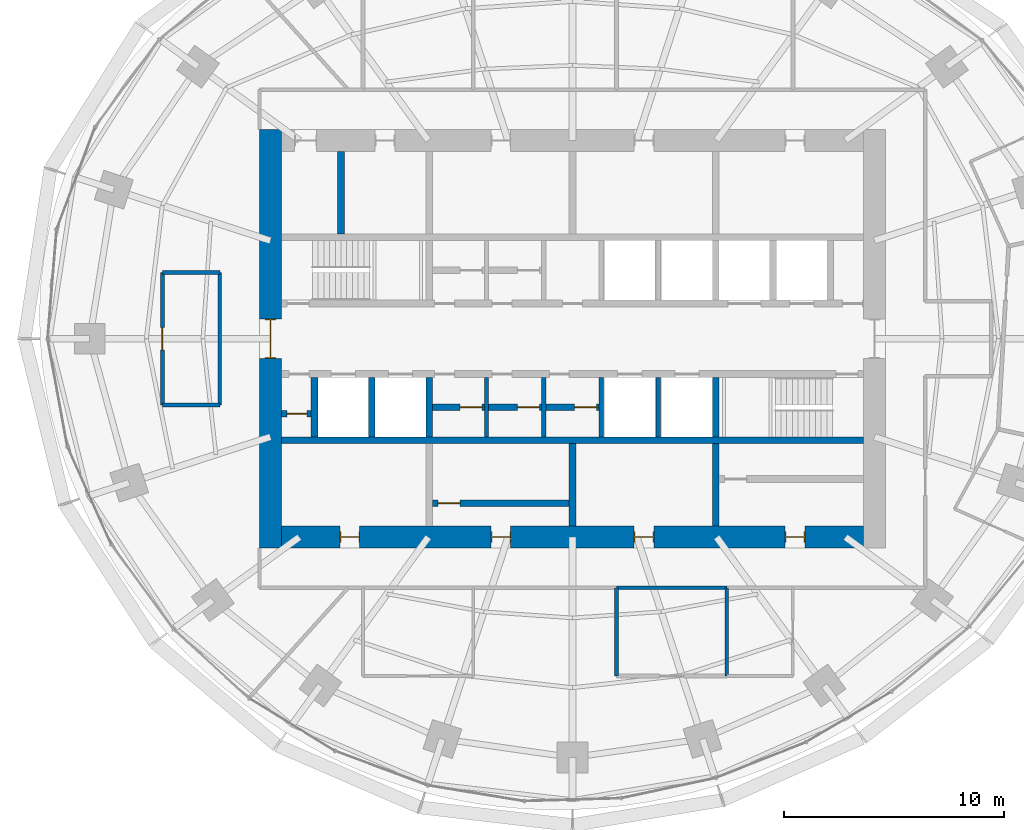
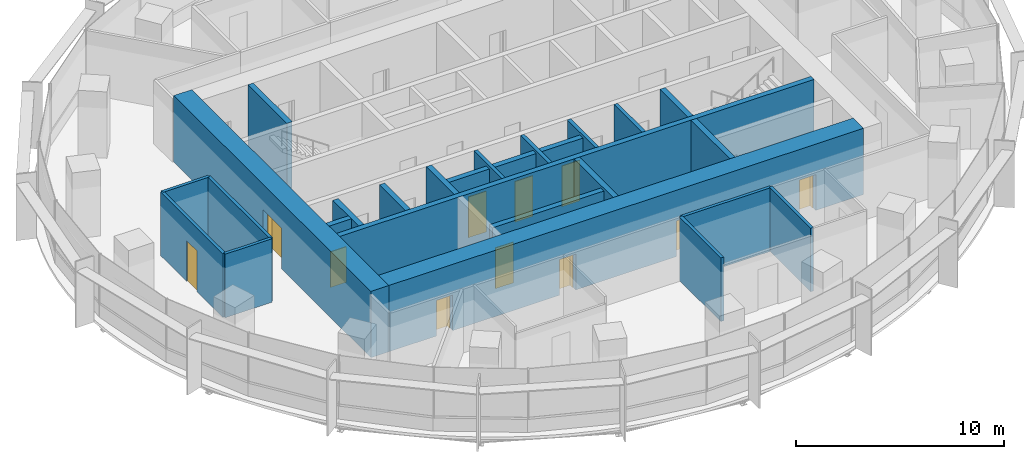
# One storey, part 10 of 15: 26 walls, 11 doors, 11 openings.
"""IFC4 building model written with IfcOpenShell, lengths in metres."""

from ifc_helpers import new_model, si_unit, direction, frame, frame_2d, origin, place, context, subcontext, project, spatial, rectangle, extrude, material, layer, layer_set, type_object, element, fill, save


model = new_model("IFC4")

# Units and contexts
model_context = context("Model", 3, precision=1e-05, world=origin(), true_north=direction((0.0, 1.0)))
body_context = subcontext(model_context, "Body", "Model", "MODEL_VIEW")
ifc_project = project(units=[si_unit("LENGTHUNIT", "METRE"), si_unit("AREAUNIT", "SQUARE_METRE"), si_unit("VOLUMEUNIT", "CUBIC_METRE"), si_unit("PLANEANGLEUNIT", "RADIAN"), si_unit("MASSUNIT", "GRAM", prefix="KILO")], contexts=[model_context])

# Site, building, storey
site_placement = place(None, origin())
site = spatial("IfcSite", under=ifc_project, at=site_placement, CompositionType="ELEMENT")
building_placement = place(site_placement, origin())
building = spatial("IfcBuilding", under=site, at=building_placement, Name="Marramba Exchange Tower", CompositionType="ELEMENT")
storey_placement = place(building_placement, frame((0.0, 0.0, 211.10009765625)))
storey = spatial("IfcBuildingStorey", under=building, at=storey_placement, Name="L51", CompositionType="ELEMENT", Elevation=211.10009765625)

# Walls
ifc_material_1 = material(Name="Plasterboard on staggered double steel studs, acoustic insulation", Category="steel")
ifc_layer_1 = layer(ifc_material_1, 0.169921875)
ifc_layer_set_1 = layer_set([ifc_layer_1], Name="Acoustic partition 170")
wall_type_1 = type_object("IfcWallType", Name="Acoustic partition 170", PredefinedType="PARTITIONING", material=ifc_layer_set_1)
wall_1_placement = place(storey_placement, frame((-16.0, -3.0, 0.0), z_axis=(0.0, 0.0, 1.0), x_axis=(-1.0, 0.0, 0.0)))
element("IfcWall", 1, at=wall_1_placement, inside=storey, type_object=wall_type_1, Name="Acoustic partition L51 01", PredefinedType="PARTITIONING", context=body_context, shape_type="SweptSolid", body=[
    extrude(rectangle(XDim=2.60009765625, YDim=0.169921875, at=frame_2d((1.300048828125, 0.0))), origin(), (0.0, 0.0, 1.0), 3.739990234375),
])
wall_2_placement = place(storey_placement, frame((2.0, -11.300048828125, 0.0), z_axis=(0.0, 0.0, 1.0), x_axis=(0.0, -1.0, 0.0)))
element("IfcWall", 2, at=wall_2_placement, inside=storey, type_object=wall_type_1, Name="Acoustic partition L51 08", PredefinedType="PARTITIONING", context=body_context, shape_type="SweptSolid", body=[
    extrude(rectangle(XDim=4.0, YDim=0.169921875, at=frame_2d((2.0, 0.0))), origin(), (0.0, 0.0, 1.0), 3.739990234375),
])
wall_3_placement = place(storey_placement, frame((7.0, -11.300048828125, 0.0), z_axis=(0.0, 0.0, 1.0), x_axis=(-1.0, 0.0, 0.0)))
element("IfcWall", 3, at=wall_3_placement, inside=storey, type_object=wall_type_1, Name="Acoustic partition L51 10", PredefinedType="PARTITIONING", context=body_context, shape_type="SweptSolid", body=[
    extrude(rectangle(XDim=5.0, YDim=0.169921875, at=frame_2d((2.5, 0.0))), origin(), (0.0, 0.0, 1.0), 3.739990234375),
])
wall_4_placement = place(storey_placement, frame((7.0, -11.300048828125, 0.0), z_axis=(0.0, 0.0, 1.0), x_axis=(0.0, -1.0, 0.0)))
element("IfcWall", 4, at=wall_4_placement, inside=storey, type_object=wall_type_1, Name="Acoustic partition L51 11", PredefinedType="PARTITIONING", context=body_context, shape_type="SweptSolid", body=[
    extrude(rectangle(XDim=4.0, YDim=0.169921875, at=frame_2d((2.0, 0.0))), origin(), (0.0, 0.0, 1.0), 3.739990234375),
])
wall_5_placement = place(storey_placement, frame((-18.60009765625, 3.0, 0.0), z_axis=(0.0, 0.0, 1.0), x_axis=(1.0, 0.0, 0.0)))
element("IfcWall", 5, at=wall_5_placement, inside=storey, type_object=wall_type_1, Name="Acoustic partition L51 43", PredefinedType="PARTITIONING", context=body_context, shape_type="SweptSolid", body=[
    extrude(rectangle(XDim=2.60009765625, YDim=0.169921875, at=frame_2d((1.300048828125, 0.0))), origin(), (0.0, 0.0, 1.0), 3.739990234375),
])

# Wall, opening, door
wall_6_placement = place(storey_placement, frame((-18.60009765625, -3.0, 0.0), z_axis=(0.0, 0.0, 1.0), x_axis=(0.0, 1.0, 0.0)))
wall_6 = element("IfcWall", 6, at=wall_6_placement, inside=storey, type_object=wall_type_1, Name="Acoustic partition L51 44", PredefinedType="PARTITIONING", context=body_context, shape_type="SweptSolid", body=[
    extrude(rectangle(XDim=6.0, YDim=0.169921875, at=frame_2d((3.0, 0.0))), origin(), (0.0, 0.0, 1.0), 3.739990234375),
])
opening_1_placement = place(wall_6_placement, frame((2.5, 0.0, 0.0)))
opening_1 = element("IfcOpeningElement", 7, at=opening_1_placement, cuts=wall_6, Name="Opening D9", PredefinedType="OPENING", context=body_context, shape_type="SweptSolid", body=[
    extrude(rectangle(XDim=1.0, YDim=2.39990234375, at=frame_2d((0.5, 1.199951171875))), frame((0.0, 0.094970703125, 0.0), z_axis=(0.0, -1.0, 0.0), x_axis=(1.0, 0.0, 0.0)), (0.0, 0.0, 1.0), 0.18994140625),
])
ifc_material_2 = material(Name="Timber door", Category="wood")
door_type_1 = type_object("IfcDoorType", Name="Room door 1000x2400", OperationType="SINGLE_SWING_LEFT", PredefinedType="DOOR", material=ifc_material_2)
door_1_placement = place(opening_1_placement, frame((1.0, 0.0, 0.0), z_axis=(0.0, 0.0, 1.0), x_axis=(-1.0, 0.0, 0.0)))
door_1 = element("IfcDoor", 8, at=door_1_placement, inside=storey, type_object=door_type_1, Name="D9 Quiet Room 2 L51", OperationType="SINGLE_SWING_RIGHT", OverallHeight=2.39990234375, OverallWidth=1.0, PredefinedType="DOOR", context=body_context, shape_type="SweptSolid", body=[
    extrude(rectangle(XDim=1.0, YDim=2.39990234375, at=frame_2d((0.5, 1.199951171875))), frame((0.0, 0.025146484375, 0.0), z_axis=(0.0, -1.0, 0.0), x_axis=(1.0, 0.0, 0.0)), (0.0, 0.0, 1.0), 0.050048828125),
])
fill(opening_1, door_1)

# Walls
wall_7_placement = place(storey_placement, frame((-16.0, 3.0, 0.0), z_axis=(0.0, 0.0, 1.0), x_axis=(0.0, -1.0, 0.0)))
element("IfcWall", 9, at=wall_7_placement, inside=storey, type_object=wall_type_1, Name="Acoustic partition L51 45", PredefinedType="PARTITIONING", context=body_context, shape_type="SweptSolid", body=[
    extrude(rectangle(XDim=6.0, YDim=0.169921875, at=frame_2d((3.0, 0.0))), origin(), (0.0, 0.0, 1.0), 3.739990234375),
])
ifc_material_3 = material(Name="Concrete N50", Category="concrete")
ifc_layer_2 = layer(ifc_material_3, 0.199951171875)
ifc_layer_set_2 = layer_set([ifc_layer_2], Name="Core shaft wall 200")
wall_type_2 = type_object("IfcWallType", Name="Core shaft wall 200", PredefinedType="SHEAR", material=ifc_layer_set_2)
for number, where, z_axis, x_axis, name in (
    (10, (-3.89990234375, -1.75, 0.0), (0.0, 0.0, 1.0), (0.0, -1.0, 0.0), "Core wall SHS1 L51"),
    (11, (-1.300048828125, -1.75, 0.0), (0.0, 0.0, 1.0), (0.0, -1.0, 0.0), "Core wall SHS2 L51"),
    (12, (1.300048828125, -1.75, 0.0), (0.0, 0.0, 1.0), (0.0, -1.0, 0.0), "Core wall SHS3 L51"),
    (13, (3.89990234375, -1.75, 0.0), (0.0, 0.0, 1.0), (0.0, -1.0, 0.0), "Core wall SHS4 L51"),
):
    element("IfcWall", number, at=place(storey_placement, frame(where, z_axis=z_axis, x_axis=x_axis)), inside=storey, type_object=wall_type_2, Name=name, PredefinedType="SHEAR", context=body_context, shape_type="SweptSolid", body=[
        extrude(rectangle(XDim=2.699951171875, YDim=0.199951171875, at=frame_2d((1.35009765625, 0.0))), origin(), (0.0, 0.0, 1.0), 3.89990234375),
    ])

# Wall, openings, doors
ifc_layer_3 = layer(ifc_material_3, 1.0)
ifc_layer_set_3 = layer_set([ifc_layer_3], Name="Core wall 1000")
wall_type_3 = type_object("IfcWallType", Name="Core wall 1000", PredefinedType="SHEAR", material=ifc_layer_set_3)
wall_8_placement = place(storey_placement, frame((-13.199951171875, -9.0, 0.0), z_axis=(0.0, 0.0, 1.0), x_axis=(1.0, 0.0, 0.0)))
wall_8 = element("IfcWall", 14, at=wall_8_placement, inside=storey, type_object=wall_type_3, Name="Core wall S L51", PredefinedType="SHEAR", context=body_context, shape_type="SweptSolid", body=[
    extrude(rectangle(XDim=26.39990234375, YDim=1.0, at=frame_2d((13.199951171875, 0.0))), origin(), (0.0, 0.0, 1.0), 3.89990234375),
])
opening_2_placement = place(wall_8_placement, frame((2.64990234375, 0.0, 0.0)))
opening_2 = element("IfcOpeningElement", 15, at=opening_2_placement, cuts=wall_8, Name="Opening D5", PredefinedType="OPENING", context=body_context, shape_type="SweptSolid", body=[
    extrude(rectangle(XDim=0.89990234375, YDim=2.10009765625, at=frame_2d((0.449951171875, 1.050048828125))), frame((0.0, 0.510009765625, 0.0), z_axis=(0.0, -1.0, 0.0), x_axis=(1.0, 0.0, 0.0)), (0.0, 0.0, 1.0), 1.02001953125),
])
opening_3_placement = place(wall_8_placement, frame((9.5, 0.0, 0.0)))
opening_3 = element("IfcOpeningElement", 16, at=opening_3_placement, cuts=wall_8, Name="Opening D5", PredefinedType="OPENING", context=body_context, shape_type="SweptSolid", body=[
    extrude(rectangle(XDim=0.89990234375, YDim=2.10009765625, at=frame_2d((0.449951171875, 1.050048828125))), frame((0.0, 0.510009765625, 0.0), z_axis=(0.0, -1.0, 0.0), x_axis=(1.0, 0.0, 0.0)), (0.0, 0.0, 1.0), 1.02001953125),
])
opening_4_placement = place(wall_8_placement, frame((16.0, 0.0, 0.0)))
opening_4 = element("IfcOpeningElement", 17, at=opening_4_placement, cuts=wall_8, Name="Opening D5", PredefinedType="OPENING", context=body_context, shape_type="SweptSolid", body=[
    extrude(rectangle(XDim=0.89990234375, YDim=2.10009765625, at=frame_2d((0.449951171875, 1.050048828125))), frame((0.0, 0.510009765625, 0.0), z_axis=(0.0, -1.0, 0.0), x_axis=(1.0, 0.0, 0.0)), (0.0, 0.0, 1.0), 1.02001953125),
])
opening_5_placement = place(wall_8_placement, frame((22.85009765625, 0.0, 0.0)))
opening_5 = element("IfcOpeningElement", 18, at=opening_5_placement, cuts=wall_8, Name="Opening D5", PredefinedType="OPENING", context=body_context, shape_type="SweptSolid", body=[
    extrude(rectangle(XDim=0.89990234375, YDim=2.10009765625, at=frame_2d((0.449951171875, 1.050048828125))), frame((0.0, 0.510009765625, 0.0), z_axis=(0.0, -1.0, 0.0), x_axis=(1.0, 0.0, 0.0)), (0.0, 0.0, 1.0), 1.02001953125),
])
ifc_material_4 = material(Name="Steel-framed door", Category="steel")
door_type_2 = type_object("IfcDoorType", Name="Service door 900x2100", OperationType="SINGLE_SWING_LEFT", PredefinedType="DOOR", material=ifc_material_4)
door_2_placement = place(opening_2_placement, origin())
door_2 = element("IfcDoor", 19, at=door_2_placement, inside=storey, type_object=door_type_2, Name="D5 ahu L51", OperationType="SINGLE_SWING_LEFT", OverallHeight=2.10009765625, OverallWidth=0.89990234375, PredefinedType="DOOR", context=body_context, shape_type="SweptSolid", body=[
    extrude(rectangle(XDim=0.81982421875, YDim=2.06005859375, at=frame_2d((0.449951171875, 1.030029296875))), frame((0.0, 0.02490234375, 0.0), z_axis=(0.0, -1.0, 0.0), x_axis=(1.0, 0.0, 0.0)), (0.0, 0.0, 1.0), 0.050048828125),
    extrude(rectangle(XDim=0.04, YDim=2.10009765625, at=frame_2d((0.02001953125, 1.050048828125))), frame((0.0, 0.25, 0.0), z_axis=(0.0, -1.0, 0.0), x_axis=(1.0, 0.0, 0.0)), (0.0, 0.0, 1.0), 0.5),
    extrude(rectangle(XDim=0.04, YDim=2.10009765625, at=frame_2d((0.8798828125, 1.050048828125))), frame((0.0, 0.25, 0.0), z_axis=(0.0, -1.0, 0.0), x_axis=(1.0, 0.0, 0.0)), (0.0, 0.0, 1.0), 0.5),
    extrude(rectangle(XDim=0.81982421875, YDim=0.04, at=frame_2d((0.449951171875, 2.080078125))), frame((0.0, 0.25, 0.0), z_axis=(0.0, -1.0, 0.0), x_axis=(1.0, 0.0, 0.0)), (0.0, 0.0, 1.0), 0.5),
])
fill(opening_2, door_2)
door_3_placement = place(opening_3_placement, origin())
door_3 = element("IfcDoor", 20, at=door_3_placement, inside=storey, type_object=door_type_2, Name="D5 store L51", OperationType="SINGLE_SWING_RIGHT", OverallHeight=2.10009765625, OverallWidth=0.89990234375, PredefinedType="DOOR", context=body_context, shape_type="SweptSolid", body=[
    extrude(rectangle(XDim=0.81982421875, YDim=2.06005859375, at=frame_2d((0.449951171875, 1.030029296875))), frame((0.0, 0.02490234375, 0.0), z_axis=(0.0, -1.0, 0.0), x_axis=(1.0, 0.0, 0.0)), (0.0, 0.0, 1.0), 0.050048828125),
    extrude(rectangle(XDim=0.04, YDim=2.10009765625, at=frame_2d((0.02001953125, 1.050048828125))), frame((0.0, 0.25, 0.0), z_axis=(0.0, -1.0, 0.0), x_axis=(1.0, 0.0, 0.0)), (0.0, 0.0, 1.0), 0.5),
    extrude(rectangle(XDim=0.04, YDim=2.10009765625, at=frame_2d((0.8798828125, 1.050048828125))), frame((0.0, 0.25, 0.0), z_axis=(0.0, -1.0, 0.0), x_axis=(1.0, 0.0, 0.0)), (0.0, 0.0, 1.0), 0.5),
    extrude(rectangle(XDim=0.81982421875, YDim=0.04, at=frame_2d((0.449951171875, 2.080078125))), frame((0.0, 0.25, 0.0), z_axis=(0.0, -1.0, 0.0), x_axis=(1.0, 0.0, 0.0)), (0.0, 0.0, 1.0), 0.5),
])
fill(opening_3, door_3)
door_4_placement = place(opening_4_placement, origin())
door_4 = element("IfcDoor", 21, at=door_4_placement, inside=storey, type_object=door_type_2, Name="D5 switch L51", OperationType="SINGLE_SWING_RIGHT", OverallHeight=2.10009765625, OverallWidth=0.89990234375, PredefinedType="DOOR", context=body_context, shape_type="SweptSolid", body=[
    extrude(rectangle(XDim=0.81982421875, YDim=2.06005859375, at=frame_2d((0.449951171875, 1.030029296875))), frame((0.0, 0.02490234375, 0.0), z_axis=(0.0, -1.0, 0.0), x_axis=(1.0, 0.0, 0.0)), (0.0, 0.0, 1.0), 0.050048828125),
    extrude(rectangle(XDim=0.04, YDim=2.10009765625, at=frame_2d((0.02001953125, 1.050048828125))), frame((0.0, 0.25, 0.0), z_axis=(0.0, -1.0, 0.0), x_axis=(1.0, 0.0, 0.0)), (0.0, 0.0, 1.0), 0.5),
    extrude(rectangle(XDim=0.04, YDim=2.10009765625, at=frame_2d((0.8798828125, 1.050048828125))), frame((0.0, 0.25, 0.0), z_axis=(0.0, -1.0, 0.0), x_axis=(1.0, 0.0, 0.0)), (0.0, 0.0, 1.0), 0.5),
    extrude(rectangle(XDim=0.81982421875, YDim=0.04, at=frame_2d((0.449951171875, 2.080078125))), frame((0.0, 0.25, 0.0), z_axis=(0.0, -1.0, 0.0), x_axis=(1.0, 0.0, 0.0)), (0.0, 0.0, 1.0), 0.5),
])
fill(opening_4, door_4)
door_5_placement = place(opening_5_placement, origin())
door_5 = element("IfcDoor", 22, at=door_5_placement, inside=storey, type_object=door_type_2, Name="D5 cstore L51", OperationType="SINGLE_SWING_RIGHT", OverallHeight=2.10009765625, OverallWidth=0.89990234375, PredefinedType="DOOR", context=body_context, shape_type="SweptSolid", body=[
    extrude(rectangle(XDim=0.81982421875, YDim=2.06005859375, at=frame_2d((0.449951171875, 1.030029296875))), frame((0.0, 0.02490234375, 0.0), z_axis=(0.0, -1.0, 0.0), x_axis=(1.0, 0.0, 0.0)), (0.0, 0.0, 1.0), 0.050048828125),
    extrude(rectangle(XDim=0.04, YDim=2.10009765625, at=frame_2d((0.02001953125, 1.050048828125))), frame((0.0, 0.25, 0.0), z_axis=(0.0, -1.0, 0.0), x_axis=(1.0, 0.0, 0.0)), (0.0, 0.0, 1.0), 0.5),
    extrude(rectangle(XDim=0.04, YDim=2.10009765625, at=frame_2d((0.8798828125, 1.050048828125))), frame((0.0, 0.25, 0.0), z_axis=(0.0, -1.0, 0.0), x_axis=(1.0, 0.0, 0.0)), (0.0, 0.0, 1.0), 0.5),
    extrude(rectangle(XDim=0.81982421875, YDim=0.04, at=frame_2d((0.449951171875, 2.080078125))), frame((0.0, 0.25, 0.0), z_axis=(0.0, -1.0, 0.0), x_axis=(1.0, 0.0, 0.0)), (0.0, 0.0, 1.0), 0.5),
])
fill(opening_5, door_5)

# Wall, opening, door
wall_9_placement = place(storey_placement, frame((-13.699951171875, 9.5, 0.0), z_axis=(0.0, 0.0, 1.0), x_axis=(0.0, -1.0, 0.0)))
wall_9 = element("IfcWall", 23, at=wall_9_placement, inside=storey, type_object=wall_type_3, Name="Core wall W L51", PredefinedType="SHEAR", context=body_context, shape_type="SweptSolid", body=[
    extrude(rectangle(XDim=19.0, YDim=1.0, at=frame_2d((9.5, 0.0))), origin(), (0.0, 0.0, 1.0), 3.89990234375),
])
opening_6_placement = place(wall_9_placement, frame((8.60009765625, 0.0, 0.0)))
opening_6 = element("IfcOpeningElement", 24, at=opening_6_placement, cuts=wall_9, Name="Opening D1", PredefinedType="OPENING", context=body_context, shape_type="SweptSolid", body=[
    extrude(rectangle(XDim=1.800048828125, YDim=2.39990234375, at=frame_2d((0.89990234375, 1.199951171875))), frame((0.0, 0.510009765625, 0.0), z_axis=(0.0, -1.0, 0.0), x_axis=(1.0, 0.0, 0.0)), (0.0, 0.0, 1.0), 1.02001953125),
])
door_type_3 = type_object("IfcDoorType", Name="Lobby exit door 1800x2400", OperationType="DOUBLE_DOOR_SINGLE_SWING", PredefinedType="DOOR", material=ifc_material_4)
door_6_placement = place(opening_6_placement, origin())
door_6 = element("IfcDoor", 25, at=door_6_placement, inside=storey, type_object=door_type_3, Name="D1 lobby exit west L51", OperationType="DOUBLE_DOOR_SINGLE_SWING", OverallHeight=2.39990234375, OverallWidth=1.800048828125, PredefinedType="DOOR", context=body_context, shape_type="SweptSolid", body=[
    extrude(rectangle(XDim=1.719970703125, YDim=2.35986328125, at=frame_2d((0.89990234375, 1.179931640625))), frame((0.0, 0.02490234375, 0.0), z_axis=(0.0, -1.0, 0.0), x_axis=(1.0, 0.0, 0.0)), (0.0, 0.0, 1.0), 0.050048828125),
    extrude(rectangle(XDim=0.04, YDim=2.39990234375, at=frame_2d((0.02001953125, 1.199951171875))), frame((0.0, 0.25, 0.0), z_axis=(0.0, -1.0, 0.0), x_axis=(1.0, 0.0, 0.0)), (0.0, 0.0, 1.0), 0.5),
    extrude(rectangle(XDim=0.04, YDim=2.39990234375, at=frame_2d((1.780029296875, 1.199951171875))), frame((0.0, 0.25, 0.0), z_axis=(0.0, -1.0, 0.0), x_axis=(1.0, 0.0, 0.0)), (0.0, 0.0, 1.0), 0.5),
    extrude(rectangle(XDim=1.719970703125, YDim=0.04, at=frame_2d((0.89990234375, 2.3798828125))), frame((0.0, 0.25, 0.0), z_axis=(0.0, -1.0, 0.0), x_axis=(1.0, 0.0, 0.0)), (0.0, 0.0, 1.0), 0.5),
])
fill(opening_6, door_6)

# Walls
ifc_layer_4 = layer(ifc_material_3, 0.300048828125)
ifc_layer_set_4 = layer_set([ifc_layer_4], Name="Core wall 300")
wall_type_4 = type_object("IfcWallType", Name="Core wall 300", PredefinedType="SHEAR", material=ifc_layer_set_4)
wall_10_placement = place(storey_placement, frame((-13.199951171875, -4.60009765625, 0.0), z_axis=(0.0, 0.0, 1.0), x_axis=(1.0, 0.0, 0.0)))
element("IfcWall", 26, at=wall_10_placement, inside=storey, type_object=wall_type_4, Name="Core wall BS L51", PredefinedType="SHEAR", context=body_context, shape_type="SweptSolid", body=[
    extrude(rectangle(XDim=26.39990234375, YDim=0.300048828125, at=frame_2d((13.199951171875, 0.0))), origin(), (0.0, 0.0, 1.0), 3.89990234375),
])
for number, where, z_axis, x_axis, name in (
    (27, (-6.5, -1.75, 0.0), (0.0, 0.0, 1.0), (0.0, -1.0, 0.0), "Core wall X0Sa L51"),
    (28, (6.5, -1.75, 0.0), (0.0, 0.0, 1.0), (0.0, -1.0, 0.0), "Core wall X1Sa L51"),
):
    element("IfcWall", number, at=place(storey_placement, frame(where, z_axis=z_axis, x_axis=x_axis)), inside=storey, type_object=wall_type_4, Name=name, PredefinedType="SHEAR", context=body_context, shape_type="SweptSolid", body=[
        extrude(rectangle(XDim=2.699951171875, YDim=0.300048828125, at=frame_2d((1.35009765625, 0.0))), origin(), (0.0, 0.0, 1.0), 3.89990234375),
    ])
for number, where, z_axis, x_axis, name in (
    (29, (6.5, -4.75, 0.0), (0.0, 0.0, 1.0), (0.0, -1.0, 0.0), "Core wall X1Sb L51"),
    (30, (0.0, -4.75, 0.0), (0.0, 0.0, 1.0), (0.0, -1.0, 0.0), "Core wall MS L51"),
    (31, (-10.5, 4.75, 0.0), (0.0, 0.0, 1.0), (0.0, 1.0, 0.0), "Core wall WD L51"),
):
    element("IfcWall", number, at=place(storey_placement, frame(where, z_axis=z_axis, x_axis=x_axis)), inside=storey, type_object=wall_type_4, Name=name, PredefinedType="SHEAR", context=body_context, shape_type="SweptSolid", body=[
        extrude(rectangle(XDim=3.75, YDim=0.300048828125, at=frame_2d((1.875, 0.0))), origin(), (0.0, 0.0, 1.0), 3.89990234375),
    ])
ifc_material_5 = material(Name="Core-filled concrete blockwork", Category="masonry")
ifc_layer_5 = layer(ifc_material_5, 0.300048828125)
ifc_layer_set_5 = layer_set([ifc_layer_5], Name="Lift shaft wall 300")
wall_type_5 = type_object("IfcWallType", Name="Lift shaft wall 300", PredefinedType="SOLIDWALL", material=ifc_layer_set_5)
for number, where, z_axis, x_axis, name in (
    (32, (-9.10009765625, -1.75, 0.0), (0.0, 0.0, 1.0), (0.0, -1.0, 0.0), "Lift shaft wall W1 L51"),
    (33, (-11.699951171875, -1.75, 0.0), (0.0, 0.0, 1.0), (0.0, -1.0, 0.0), "Lift shaft wall W2 L51"),
):
    element("IfcWall", number, at=place(storey_placement, frame(where, z_axis=z_axis, x_axis=x_axis)), inside=storey, type_object=wall_type_5, Name=name, PredefinedType="SOLIDWALL", context=body_context, shape_type="SweptSolid", body=[
        extrude(rectangle(XDim=2.699951171875, YDim=0.300048828125, at=frame_2d((1.35009765625, 0.0))), origin(), (0.0, 0.0, 1.0), 3.739990234375),
    ])

# Wall, opening, door
ifc_layer_6 = layer(ifc_material_5, 0.300048828125)
ifc_layer_set_6 = layer_set([ifc_layer_6], Name="Riser enclosure wall 300")
wall_type_6 = type_object("IfcWallType", Name="Riser enclosure wall 300", PredefinedType="SOLIDWALL", material=ifc_layer_set_6)
wall_11_placement = place(storey_placement, frame((-13.199951171875, -3.39990234375, 0.0), z_axis=(0.0, 0.0, 1.0), x_axis=(1.0, 0.0, 0.0)))
wall_11 = element("IfcWall", 34, at=wall_11_placement, inside=storey, type_object=wall_type_6, Name="Riser enclosure wall L51", PredefinedType="SOLIDWALL", context=body_context, shape_type="SweptSolid", body=[
    extrude(rectangle(XDim=1.349853515625, YDim=0.300048828125, at=frame_2d((0.6748046875, 0.0))), origin(), (0.0, 0.0, 1.0), 3.739990234375),
])
opening_7_placement = place(wall_11_placement, frame((0.25, 0.0, 0.0)))
opening_7 = element("IfcOpeningElement", 35, at=opening_7_placement, cuts=wall_11, Name="Opening D5", PredefinedType="OPENING", context=body_context, shape_type="SweptSolid", body=[
    extrude(rectangle(XDim=0.89990234375, YDim=2.10009765625, at=frame_2d((0.449951171875, 1.050048828125))), frame((0.0, 0.159912109375, 0.0), z_axis=(0.0, -1.0, 0.0), x_axis=(1.0, 0.0, 0.0)), (0.0, 0.0, 1.0), 0.320068359375),
])
door_7_placement = place(opening_7_placement, frame((0.89990234375, 0.0, 0.0), z_axis=(0.0, 0.0, 1.0), x_axis=(-1.0, 0.0, 0.0)))
door_7 = element("IfcDoor", 36, at=door_7_placement, inside=storey, type_object=door_type_2, Name="D5 electrical riser back L51", OperationType="SINGLE_SWING_LEFT", OverallHeight=2.10009765625, OverallWidth=0.89990234375, PredefinedType="DOOR", context=body_context, shape_type="SweptSolid", body=[
    extrude(rectangle(XDim=0.89990234375, YDim=2.10009765625, at=frame_2d((0.449951171875, 1.050048828125))), frame((0.0, 0.025146484375, 0.0), z_axis=(0.0, -1.0, 0.0), x_axis=(1.0, 0.0, 0.0)), (0.0, 0.0, 1.0), 0.050048828125),
])
fill(opening_7, door_7)

ifc_material_6 = material(Name="Plasterboard on steel studs, insulated, unrated", Category="steel")
ifc_layer_7 = layer(ifc_material_6, 0.300048828125)
ifc_layer_set_7 = layer_set([ifc_layer_7], Name="Store partition 300")
wall_type_7 = type_object("IfcWallType", Name="Store partition 300", PredefinedType="PARTITIONING", material=ifc_layer_set_7)
wall_12_placement = place(storey_placement, frame((-6.35009765625, -3.10009765625, 0.0), z_axis=(0.0, 0.0, 1.0), x_axis=(1.0, 0.0, 0.0)))
wall_12 = element("IfcWall", 37, at=wall_12_placement, inside=storey, type_object=wall_type_7, Name="Store partition L51 S1", PredefinedType="PARTITIONING", context=body_context, shape_type="SweptSolid", body=[
    extrude(rectangle(XDim=2.35009765625, YDim=0.300048828125, at=frame_2d((1.175048828125, 0.0))), origin(), (0.0, 0.0, 1.0), 3.739990234375),
])
opening_8_placement = place(wall_12_placement, frame((1.25, 0.0, 0.0)))
opening_8 = element("IfcOpeningElement", 38, at=opening_8_placement, cuts=wall_12, Name="Opening D9", PredefinedType="OPENING", context=body_context, shape_type="SweptSolid", body=[
    extrude(rectangle(XDim=1.0, YDim=2.39990234375, at=frame_2d((0.5, 1.199951171875))), frame((0.0, 0.159912109375, 0.0), z_axis=(0.0, -1.0, 0.0), x_axis=(1.0, 0.0, 0.0)), (0.0, 0.0, 1.0), 0.320068359375),
])
door_8_placement = place(opening_8_placement, origin())
door_8 = element("IfcDoor", 39, at=door_8_placement, inside=storey, type_object=door_type_1, Name="D9 store room S1 L51", OperationType="SINGLE_SWING_RIGHT", OverallHeight=2.39990234375, OverallWidth=1.0, PredefinedType="DOOR", context=body_context, shape_type="SweptSolid", body=[
    extrude(rectangle(XDim=1.0, YDim=2.39990234375, at=frame_2d((0.5, 1.199951171875))), frame((0.0, 0.02490234375, 0.0), z_axis=(0.0, -1.0, 0.0), x_axis=(1.0, 0.0, 0.0)), (0.0, 0.0, 1.0), 0.050048828125),
])
fill(opening_8, door_8)

wall_13_placement = place(storey_placement, frame((-3.800048828125, -3.10009765625, 0.0), z_axis=(0.0, 0.0, 1.0), x_axis=(1.0, 0.0, 0.0)))
wall_13 = element("IfcWall", 40, at=wall_13_placement, inside=storey, type_object=wall_type_7, Name="Store partition L51 S2", PredefinedType="PARTITIONING", context=body_context, shape_type="SweptSolid", body=[
    extrude(rectangle(XDim=2.400146484375, YDim=0.300048828125, at=frame_2d((1.2001953125, 0.0))), origin(), (0.0, 0.0, 1.0), 3.739990234375),
])
opening_9_placement = place(wall_13_placement, frame((1.300048828125, 0.0, 0.0)))
opening_9 = element("IfcOpeningElement", 41, at=opening_9_placement, cuts=wall_13, Name="Opening D9", PredefinedType="OPENING", context=body_context, shape_type="SweptSolid", body=[
    extrude(rectangle(XDim=1.0, YDim=2.39990234375, at=frame_2d((0.5, 1.199951171875))), frame((0.0, 0.159912109375, 0.0), z_axis=(0.0, -1.0, 0.0), x_axis=(1.0, 0.0, 0.0)), (0.0, 0.0, 1.0), 0.320068359375),
])
door_9_placement = place(opening_9_placement, origin())
door_9 = element("IfcDoor", 42, at=door_9_placement, inside=storey, type_object=door_type_1, Name="D9 store room S2 L51", OperationType="SINGLE_SWING_RIGHT", OverallHeight=2.39990234375, OverallWidth=1.0, PredefinedType="DOOR", context=body_context, shape_type="SweptSolid", body=[
    extrude(rectangle(XDim=1.0, YDim=2.39990234375, at=frame_2d((0.5, 1.199951171875))), frame((0.0, 0.02490234375, 0.0), z_axis=(0.0, -1.0, 0.0), x_axis=(1.0, 0.0, 0.0)), (0.0, 0.0, 1.0), 0.050048828125),
])
fill(opening_9, door_9)

wall_14_placement = place(storey_placement, frame((-1.199951171875, -3.10009765625, 0.0), z_axis=(0.0, 0.0, 1.0), x_axis=(1.0, 0.0, 0.0)))
wall_14 = element("IfcWall", 43, at=wall_14_placement, inside=storey, type_object=wall_type_7, Name="Store partition L51 S3", PredefinedType="PARTITIONING", context=body_context, shape_type="SweptSolid", body=[
    extrude(rectangle(XDim=2.39990234375, YDim=0.300048828125, at=frame_2d((1.199951171875, 0.0))), origin(), (0.0, 0.0, 1.0), 3.739990234375),
])
opening_10_placement = place(wall_14_placement, frame((1.300048828125, 0.0, 0.0)))
opening_10 = element("IfcOpeningElement", 44, at=opening_10_placement, cuts=wall_14, Name="Opening D9", PredefinedType="OPENING", context=body_context, shape_type="SweptSolid", body=[
    extrude(rectangle(XDim=1.0, YDim=2.39990234375, at=frame_2d((0.5, 1.199951171875))), frame((0.0, 0.159912109375, 0.0), z_axis=(0.0, -1.0, 0.0), x_axis=(1.0, 0.0, 0.0)), (0.0, 0.0, 1.0), 0.320068359375),
])
door_10_placement = place(opening_10_placement, origin())
door_10 = element("IfcDoor", 45, at=door_10_placement, inside=storey, type_object=door_type_1, Name="D9 store room S3 L51", OperationType="SINGLE_SWING_RIGHT", OverallHeight=2.39990234375, OverallWidth=1.0, PredefinedType="DOOR", context=body_context, shape_type="SweptSolid", body=[
    extrude(rectangle(XDim=1.0, YDim=2.39990234375, at=frame_2d((0.5, 1.199951171875))), frame((0.0, 0.02490234375, 0.0), z_axis=(0.0, -1.0, 0.0), x_axis=(1.0, 0.0, 0.0)), (0.0, 0.0, 1.0), 0.050048828125),
])
fill(opening_10, door_10)

wall_15_placement = place(storey_placement, frame((-6.35009765625, -7.4599609375, 0.0), z_axis=(0.0, 0.0, 1.0), x_axis=(1.0, 0.0, 0.0)))
wall_15 = element("IfcWall", 46, at=wall_15_placement, inside=storey, type_object=wall_type_7, Name="Store partition L51 store", PredefinedType="PARTITIONING", context=body_context, shape_type="SweptSolid", body=[
    extrude(rectangle(XDim=6.2001953125, YDim=0.300048828125, at=frame_2d((3.10009765625, 0.0))), origin(), (0.0, 0.0, 1.0), 3.739990234375),
])
opening_11_placement = place(wall_15_placement, frame((0.25, 0.0, 0.0)))
opening_11 = element("IfcOpeningElement", 47, at=opening_11_placement, cuts=wall_15, Name="Opening D9", PredefinedType="OPENING", context=body_context, shape_type="SweptSolid", body=[
    extrude(rectangle(XDim=1.0, YDim=2.39990234375, at=frame_2d((0.5, 1.199951171875))), frame((0.0, 0.159912109375, 0.0), z_axis=(0.0, -1.0, 0.0), x_axis=(1.0, 0.0, 0.0)), (0.0, 0.0, 1.0), 0.320068359375),
])
door_11_placement = place(opening_11_placement, frame((1.0, 0.0, 0.0), z_axis=(0.0, 0.0, 1.0), x_axis=(-1.0, 0.0, 0.0)))
door_11 = element("IfcDoor", 48, at=door_11_placement, inside=storey, type_object=door_type_1, Name="D9 stationery store L51", OperationType="SINGLE_SWING_RIGHT", OverallHeight=2.39990234375, OverallWidth=1.0, PredefinedType="DOOR", context=body_context, shape_type="SweptSolid", body=[
    extrude(rectangle(XDim=1.0, YDim=2.39990234375, at=frame_2d((0.5, 1.199951171875))), frame((0.0, 0.025146484375, 0.0), z_axis=(0.0, -1.0, 0.0), x_axis=(1.0, 0.0, 0.0)), (0.0, 0.0, 1.0), 0.050048828125),
])
fill(opening_11, door_11)

save(model, "model.ifc")
